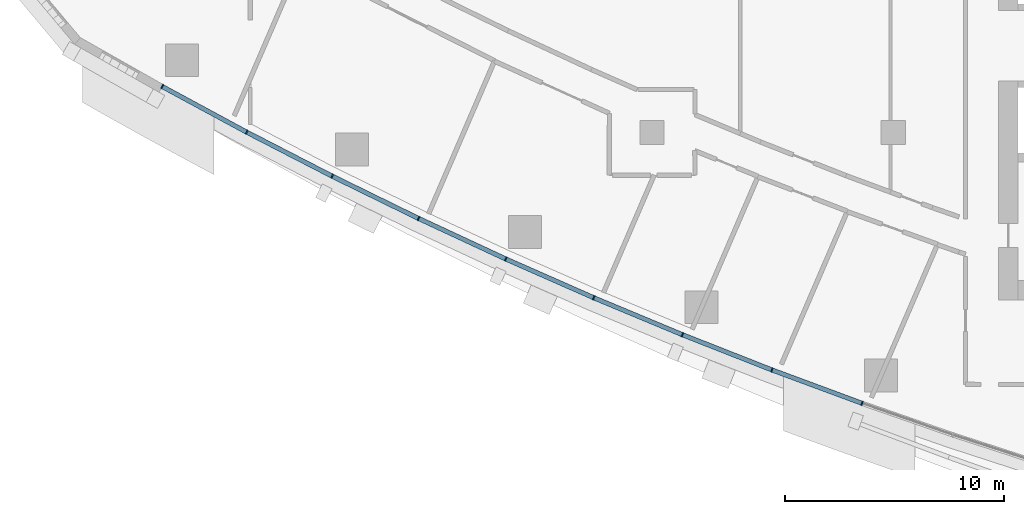
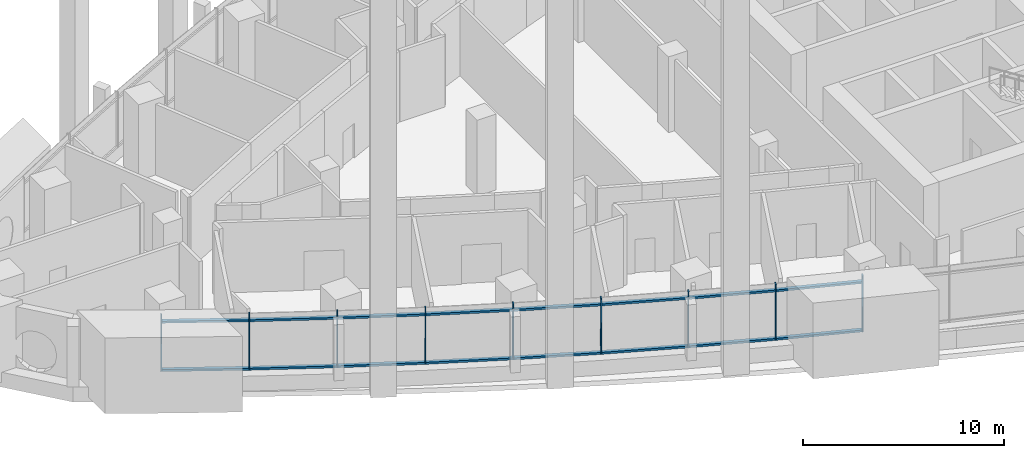
# One storey, part 2 of 17: 25 members, 4 elements without a shape of their own.
"""IFC4 building model written with IfcOpenShell, lengths in metres."""

from ifc_helpers import new_model, si_unit, direction, frame, origin, origin_2d, place, context, subcontext, project, spatial, rectangle, extrude, material, layer, layer_set, material_profile, profile_set, type_object, element, aggregate, save


model = new_model("IFC4")

# Units and contexts
model_context = context("Model", 3, precision=1e-05, world=origin(), true_north=direction((0.0, 1.0)))
body_context = subcontext(model_context, "Body", "Model", "MODEL_VIEW")
ifc_project = project(units=[si_unit("LENGTHUNIT", "METRE"), si_unit("AREAUNIT", "SQUARE_METRE"), si_unit("VOLUMEUNIT", "CUBIC_METRE"), si_unit("PLANEANGLEUNIT", "RADIAN"), si_unit("MASSUNIT", "GRAM", prefix="KILO")], contexts=[model_context])

# Site, building, storey
site_placement = place(None, origin())
site = spatial("IfcSite", under=ifc_project, at=site_placement, CompositionType="ELEMENT")
building_placement = place(site_placement, origin())
building = spatial("IfcBuilding", under=site, at=building_placement, Name="Ostrand Prow Hotel Tower", CompositionType="ELEMENT")
storey_placement = place(building_placement, frame((0.0, 0.0, 125.60009765625)))
storey = spatial("IfcBuildingStorey", under=building, at=storey_placement, Name="L30", CompositionType="ELEMENT", Elevation=125.60009765625)

# Curtain wall, members
ifc_material_1 = material(Name="Insulated glass in bronze anodised frame", Category="glass")
ifc_layer = layer(ifc_material_1, 0.199951171875)
ifc_layer_set = layer_set([ifc_layer], Name="Insulated glass in bronze anodised frame")
curtain_wall_type = type_object("IfcCurtainWallType", Name="Sky lobby full-height curtain wall", PredefinedType="NOTDEFINED", material=ifc_layer_set)
curtain_wall_1_placement = place(storey_placement, origin())
curtain_wall_1 = element("IfcCurtainWall", 1, at=curtain_wall_1_placement, inside=storey, type_object=curtain_wall_type, Name="CW3 run CWS1", PredefinedType="NOTDEFINED")
ifc_material_2 = material(Name="Bronze anodised aluminium", Category="aluminium")
ifc_material_profile_1 = material_profile(ifc_material_2, rectangle(XDim=0.199951171875, YDim=0.06005859375, at=origin_2d()), Name="Mullion 60x200 bronze anodised aluminium")
ifc_profile_set_1 = profile_set([ifc_material_profile_1], Name="Bronze anodised aluminium")
member_type_1 = type_object("IfcMemberType", Name="Mullion 60x200 bronze anodised aluminium", PredefinedType="MULLION", material=ifc_profile_set_1)
member_1_placement = place(storey_placement, frame((11.64306640625, -6.909423828125, 0.89990234375), z_axis=(0.0, 0.0, 1.0), x_axis=(0.475393901316, 0.879773060847, 0.0)))
member_1 = element("IfcMember", 2, at=member_1_placement, type_object=member_type_1, Name="CW3 mullion 1", PredefinedType="MULLION", context=body_context, shape_type="SweptSolid", body=[
    extrude(rectangle(XDim=0.199951171875, YDim=0.06005859375, at=origin_2d()), origin(), (0.0, 0.0, 1.0), 3.39990234375),
])
member_2_placement = place(storey_placement, frame((15.501708984375, -8.99462890625, 0.89990234375), z_axis=(0.0, 0.0, 1.0), x_axis=(0.457619429434, 0.889148164146, 0.0)))
member_2 = element("IfcMember", 3, at=member_2_placement, type_object=member_type_1, Name="CW3 mullion 2", PredefinedType="MULLION", context=body_context, shape_type="SweptSolid", body=[
    extrude(rectangle(XDim=0.199951171875, YDim=0.06005859375, at=origin_2d()), origin(), (0.0, 0.0, 1.0), 3.39990234375),
])
member_3_placement = place(storey_placement, frame((19.401611328125, -11.001708984375, 0.89990234375), z_axis=(0.0, 0.0, 1.0), x_axis=(0.457619429434, 0.889148164146, 0.0)))
member_3 = element("IfcMember", 4, at=member_3_placement, type_object=member_type_1, Name="CW3 mullion 3", PredefinedType="MULLION", context=body_context, shape_type="SweptSolid", body=[
    extrude(rectangle(XDim=0.199951171875, YDim=0.06005859375, at=origin_2d()), origin(), (0.0, 0.0, 1.0), 3.39990234375),
])

curtain_wall_2_placement = place(storey_placement, origin())
curtain_wall_2 = element("IfcCurtainWall", 5, at=curtain_wall_2_placement, inside=storey, type_object=curtain_wall_type, Name="CW3 run CWS2", PredefinedType="NOTDEFINED")
member_4_placement = place(storey_placement, frame((23.341064453125, -12.93017578125, 0.89990234375), z_axis=(0.0, 0.0, 1.0), x_axis=(0.421521761673, 0.906818286337, 0.0)))
member_4 = element("IfcMember", 6, at=member_4_placement, type_object=member_type_1, Name="CW3 mullion 2", PredefinedType="MULLION", context=body_context, shape_type="SweptSolid", body=[
    extrude(rectangle(XDim=0.199951171875, YDim=0.06005859375, at=origin_2d()), origin(), (0.0, 0.0, 1.0), 3.39990234375),
])
member_5_placement = place(storey_placement, frame((27.318359375, -14.77880859375, 0.89990234375), z_axis=(0.0, 0.0, 1.0), x_axis=(0.421521761673, 0.906818286337, 0.0)))
member_5 = element("IfcMember", 7, at=member_5_placement, type_object=member_type_1, Name="CW3 mullion 3", PredefinedType="MULLION", context=body_context, shape_type="SweptSolid", body=[
    extrude(rectangle(XDim=0.199951171875, YDim=0.06005859375, at=origin_2d()), origin(), (0.0, 0.0, 1.0), 3.39990234375),
])

curtain_wall_3_placement = place(storey_placement, origin())
curtain_wall_3 = element("IfcCurtainWall", 8, at=curtain_wall_3_placement, inside=storey, type_object=curtain_wall_type, Name="CW3 run CWS3", PredefinedType="NOTDEFINED")
member_6_placement = place(storey_placement, frame((31.332275390625, -16.54736328125, 0.89990234375), z_axis=(0.0, 0.0, 1.0), x_axis=(0.384743220418, 0.92302364777, 0.0)))
member_6 = element("IfcMember", 9, at=member_6_placement, type_object=member_type_1, Name="CW3 mullion 2", PredefinedType="MULLION", context=body_context, shape_type="SweptSolid", body=[
    extrude(rectangle(XDim=0.199951171875, YDim=0.06005859375, at=origin_2d()), origin(), (0.0, 0.0, 1.0), 3.39990234375),
])
member_7_placement = place(storey_placement, frame((35.380615234375, -18.235107421875, 0.89990234375), z_axis=(0.0, 0.0, 1.0), x_axis=(0.384743220418, 0.92302364777, 0.0)))
member_7 = element("IfcMember", 10, at=member_7_placement, type_object=member_type_1, Name="CW3 mullion 3", PredefinedType="MULLION", context=body_context, shape_type="SweptSolid", body=[
    extrude(rectangle(XDim=0.199951171875, YDim=0.06005859375, at=origin_2d()), origin(), (0.0, 0.0, 1.0), 3.39990234375),
])

curtain_wall_4_placement = place(storey_placement, origin())
curtain_wall_4 = element("IfcCurtainWall", 11, at=curtain_wall_4_placement, inside=storey, type_object=curtain_wall_type, Name="CW3 run CWS4", PredefinedType="NOTDEFINED")
member_8_placement = place(storey_placement, frame((39.462158203125, -19.8408203125, 0.89990234375), z_axis=(0.0, 0.0, 1.0), x_axis=(0.347341576459, 0.937738678558, 0.0)))
member_8 = element("IfcMember", 12, at=member_8_placement, type_object=member_type_1, Name="CW3 mullion 2", PredefinedType="MULLION", context=body_context, shape_type="SweptSolid", body=[
    extrude(rectangle(XDim=0.199951171875, YDim=0.06005859375, at=origin_2d()), origin(), (0.0, 0.0, 1.0), 3.39990234375),
])
member_9_placement = place(storey_placement, frame((43.5751953125, -21.3642578125, 0.89990234375), z_axis=(0.0, 0.0, 1.0), x_axis=(0.347341576459, 0.937738678558, 0.0)))
member_9 = element("IfcMember", 13, at=member_9_placement, type_object=member_type_1, Name="CW3 mullion 3", PredefinedType="MULLION", context=body_context, shape_type="SweptSolid", body=[
    extrude(rectangle(XDim=0.199951171875, YDim=0.06005859375, at=origin_2d()), origin(), (0.0, 0.0, 1.0), 3.39990234375),
])

# Member
ifc_material_3 = material(Name="Bronze anodised aluminium", Category="aluminium")
ifc_material_profile_2 = material_profile(ifc_material_3, rectangle(XDim=0.199951171875, YDim=0.1201171875, at=origin_2d()), Name="Transom 120x200 bronze anodised aluminium")
ifc_profile_set_2 = profile_set([ifc_material_profile_2], Name="Bronze anodised aluminium")
member_type_2 = type_object("IfcMemberType", Name="Transom 120x200 bronze anodised aluminium", PredefinedType="USERDEFINED", material=ifc_profile_set_2)
member_10_placement = place(storey_placement, frame((11.66943359375, -6.923583984375, 0.9599609375), z_axis=(0.879765206929, -0.475408435639, 0.0), x_axis=(0.475408435639, 0.879765206929, 0.0)))
member_10 = element("IfcMember", 14, at=member_10_placement, type_object=member_type_2, Name="CW3 transom 1.1", ObjectType="TRANSOM", PredefinedType="USERDEFINED", context=body_context, shape_type="SweptSolid", body=[
    extrude(rectangle(XDim=0.199951171875, YDim=0.1201171875, at=origin_2d()), origin(), (0.0, 0.0, 1.0), 4.326171875),
])

member_11_placement = place(storey_placement, frame((11.66943359375, -6.923583984375, 3.89990234375), z_axis=(0.879765206929, -0.475408435639, 0.0), x_axis=(0.475408435639, 0.879765206929, 0.0)))
member_11 = element("IfcMember", 15, at=member_11_placement, type_object=member_type_2, Name="CW3 transom 1.2", ObjectType="TRANSOM", PredefinedType="USERDEFINED", context=body_context, shape_type="SweptSolid", body=[
    extrude(rectangle(XDim=0.199951171875, YDim=0.1201171875, at=origin_2d()), origin(), (0.0, 0.0, 1.0), 4.326171875),
])

member_12_placement = place(storey_placement, frame((15.528564453125, -9.00830078125, 0.9599609375), z_axis=(0.88914020052, -0.457634902318, 0.0), x_axis=(0.457634902318, 0.88914020052, 0.0)))
member_12 = element("IfcMember", 16, at=member_12_placement, type_object=member_type_2, Name="CW3 transom 2.1", ObjectType="TRANSOM", PredefinedType="USERDEFINED", context=body_context, shape_type="SweptSolid", body=[
    extrude(rectangle(XDim=0.199951171875, YDim=0.1201171875, at=origin_2d()), origin(), (0.0, 0.0, 1.0), 4.325927734375),
])

member_13_placement = place(storey_placement, frame((15.528564453125, -9.00830078125, 3.89990234375), z_axis=(0.88914020052, -0.457634902318, 0.0), x_axis=(0.457634902318, 0.88914020052, 0.0)))
member_13 = element("IfcMember", 17, at=member_13_placement, type_object=member_type_2, Name="CW3 transom 2.2", ObjectType="TRANSOM", PredefinedType="USERDEFINED", context=body_context, shape_type="SweptSolid", body=[
    extrude(rectangle(XDim=0.199951171875, YDim=0.1201171875, at=origin_2d()), origin(), (0.0, 0.0, 1.0), 4.325927734375),
])

aggregate(curtain_wall_1, [member_1, member_2, member_3, member_10, member_11, member_12, member_13])

member_14_placement = place(storey_placement, frame((19.4287109375, -11.014892578125, 0.9599609375), z_axis=(0.89815413626, -0.439680733623, 0.0), x_axis=(0.439680733623, 0.89815413626, 0.0)))
member_14 = element("IfcMember", 18, at=member_14_placement, type_object=member_type_2, Name="CW3 transom 1.1", ObjectType="TRANSOM", PredefinedType="USERDEFINED", context=body_context, shape_type="SweptSolid", body=[
    extrude(rectangle(XDim=0.199951171875, YDim=0.1201171875, at=origin_2d()), origin(), (0.0, 0.0, 1.0), 4.326171875),
])

member_15_placement = place(storey_placement, frame((19.4287109375, -11.014892578125, 3.89990234375), z_axis=(0.89815413626, -0.439680733623, 0.0), x_axis=(0.439680733623, 0.89815413626, 0.0)))
member_15 = element("IfcMember", 19, at=member_15_placement, type_object=member_type_2, Name="CW3 transom 1.2", ObjectType="TRANSOM", PredefinedType="USERDEFINED", context=body_context, shape_type="SweptSolid", body=[
    extrude(rectangle(XDim=0.199951171875, YDim=0.1201171875, at=origin_2d()), origin(), (0.0, 0.0, 1.0), 4.326171875),
])

member_16_placement = place(storey_placement, frame((23.368408203125, -12.942626953125, 0.9599609375), z_axis=(0.906796377468, -0.421568890944, 0.0), x_axis=(0.421568890944, 0.906796377468, 0.0)))
member_16 = element("IfcMember", 20, at=member_16_placement, type_object=member_type_2, Name="CW3 transom 2.1", ObjectType="TRANSOM", PredefinedType="USERDEFINED", context=body_context, shape_type="SweptSolid", body=[
    extrude(rectangle(XDim=0.199951171875, YDim=0.1201171875, at=origin_2d()), origin(), (0.0, 0.0, 1.0), 4.326171875),
])

member_17_placement = place(storey_placement, frame((23.368408203125, -12.942626953125, 3.89990234375), z_axis=(0.906796377468, -0.421568890944, 0.0), x_axis=(0.421568890944, 0.906796377468, 0.0)))
member_17 = element("IfcMember", 21, at=member_17_placement, type_object=member_type_2, Name="CW3 transom 2.2", ObjectType="TRANSOM", PredefinedType="USERDEFINED", context=body_context, shape_type="SweptSolid", body=[
    extrude(rectangle(XDim=0.199951171875, YDim=0.1201171875, at=origin_2d()), origin(), (0.0, 0.0, 1.0), 4.326171875),
])

aggregate(curtain_wall_2, [member_4, member_5, member_14, member_15, member_16, member_17])

member_18_placement = place(storey_placement, frame((27.345947265625, -14.791015625, 0.9599609375), z_axis=(0.91509853977, -0.403230284715, 0.0), x_axis=(0.403230284715, 0.91509853977, 0.0)))
member_18 = element("IfcMember", 22, at=member_18_placement, type_object=member_type_2, Name="CW3 transom 1.1", ObjectType="TRANSOM", PredefinedType="USERDEFINED", context=body_context, shape_type="SweptSolid", body=[
    extrude(rectangle(XDim=0.199951171875, YDim=0.1201171875, at=origin_2d()), origin(), (0.0, 0.0, 1.0), 4.325927734375),
])

member_19_placement = place(storey_placement, frame((27.345947265625, -14.791015625, 3.89990234375), z_axis=(0.91509853977, -0.403230284715, 0.0), x_axis=(0.403230284715, 0.91509853977, 0.0)))
member_19 = element("IfcMember", 23, at=member_19_placement, type_object=member_type_2, Name="CW3 transom 1.2", ObjectType="TRANSOM", PredefinedType="USERDEFINED", context=body_context, shape_type="SweptSolid", body=[
    extrude(rectangle(XDim=0.199951171875, YDim=0.1201171875, at=origin_2d()), origin(), (0.0, 0.0, 1.0), 4.325927734375),
])

member_20_placement = place(storey_placement, frame((31.35986328125, -16.55908203125, 0.9599609375), z_axis=(0.923028493412, -0.384731595206, 0.0), x_axis=(0.384731595206, 0.923028493412, 0.0)))
member_20 = element("IfcMember", 24, at=member_20_placement, type_object=member_type_2, Name="CW3 transom 2.1", ObjectType="TRANSOM", PredefinedType="USERDEFINED", context=body_context, shape_type="SweptSolid", body=[
    extrude(rectangle(XDim=0.199951171875, YDim=0.1201171875, at=origin_2d()), origin(), (0.0, 0.0, 1.0), 4.325927734375),
])

member_21_placement = place(storey_placement, frame((31.35986328125, -16.55908203125, 3.89990234375), z_axis=(0.923028493412, -0.384731595206, 0.0), x_axis=(0.384731595206, 0.923028493412, 0.0)))
member_21 = element("IfcMember", 25, at=member_21_placement, type_object=member_type_2, Name="CW3 transom 2.2", ObjectType="TRANSOM", PredefinedType="USERDEFINED", context=body_context, shape_type="SweptSolid", body=[
    extrude(rectangle(XDim=0.199951171875, YDim=0.1201171875, at=origin_2d()), origin(), (0.0, 0.0, 1.0), 4.325927734375),
])

aggregate(curtain_wall_3, [member_6, member_7, member_18, member_19, member_20, member_21])

member_22_placement = place(storey_placement, frame((35.408447265625, -18.245849609375, 0.9599609375), z_axis=(0.930563430162, -0.366130717701, 0.0), x_axis=(0.366130717701, 0.930563430162, 0.0)))
member_22 = element("IfcMember", 26, at=member_22_placement, type_object=member_type_2, Name="CW3 transom 1.1", ObjectType="TRANSOM", PredefinedType="USERDEFINED", context=body_context, shape_type="SweptSolid", body=[
    extrude(rectangle(XDim=0.199951171875, YDim=0.1201171875, at=origin_2d()), origin(), (0.0, 0.0, 1.0), 4.326171875),
])

member_23_placement = place(storey_placement, frame((35.408447265625, -18.245849609375, 3.89990234375), z_axis=(0.930563430162, -0.366130717701, 0.0), x_axis=(0.366130717701, 0.930563430162, 0.0)))
member_23 = element("IfcMember", 27, at=member_23_placement, type_object=member_type_2, Name="CW3 transom 1.2", ObjectType="TRANSOM", PredefinedType="USERDEFINED", context=body_context, shape_type="SweptSolid", body=[
    extrude(rectangle(XDim=0.199951171875, YDim=0.1201171875, at=origin_2d()), origin(), (0.0, 0.0, 1.0), 4.326171875),
])

member_24_placement = place(storey_placement, frame((39.490234375, -19.851318359375, 0.9599609375), z_axis=(0.937756929379, -0.347292299657, 0.0), x_axis=(0.347292299657, 0.937756929379, 0.0)))
member_24 = element("IfcMember", 28, at=member_24_placement, type_object=member_type_2, Name="CW3 transom 2.1", ObjectType="TRANSOM", PredefinedType="USERDEFINED", context=body_context, shape_type="SweptSolid", body=[
    extrude(rectangle(XDim=0.199951171875, YDim=0.1201171875, at=origin_2d()), origin(), (0.0, 0.0, 1.0), 4.326171875),
])

member_25_placement = place(storey_placement, frame((39.490234375, -19.851318359375, 3.89990234375), z_axis=(0.937756929379, -0.347292299657, 0.0), x_axis=(0.347292299657, 0.937756929379, 0.0)))
member_25 = element("IfcMember", 29, at=member_25_placement, type_object=member_type_2, Name="CW3 transom 2.2", ObjectType="TRANSOM", PredefinedType="USERDEFINED", context=body_context, shape_type="SweptSolid", body=[
    extrude(rectangle(XDim=0.199951171875, YDim=0.1201171875, at=origin_2d()), origin(), (0.0, 0.0, 1.0), 4.326171875),
])

aggregate(curtain_wall_4, [member_8, member_9, member_22, member_23, member_24, member_25])

save(model, "model.ifc")
